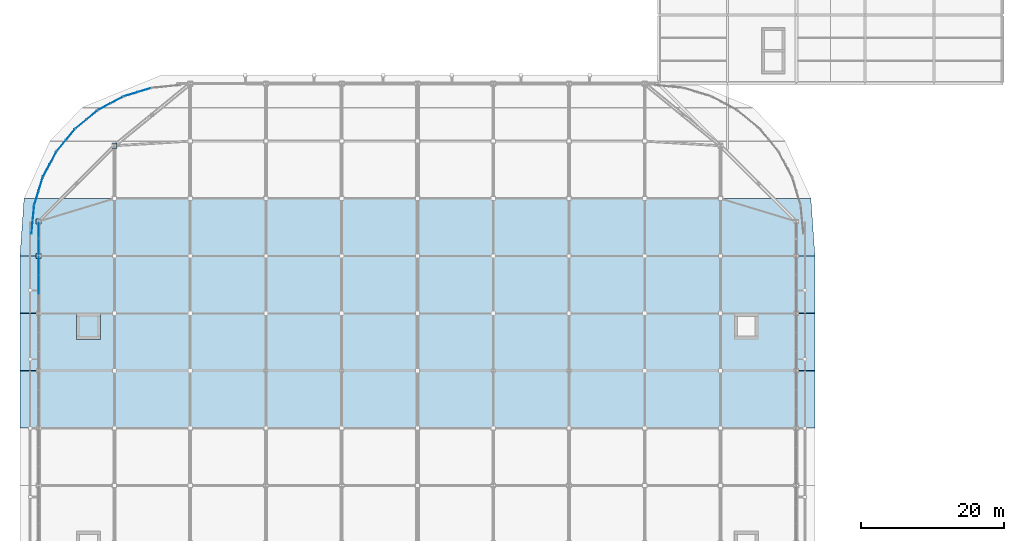
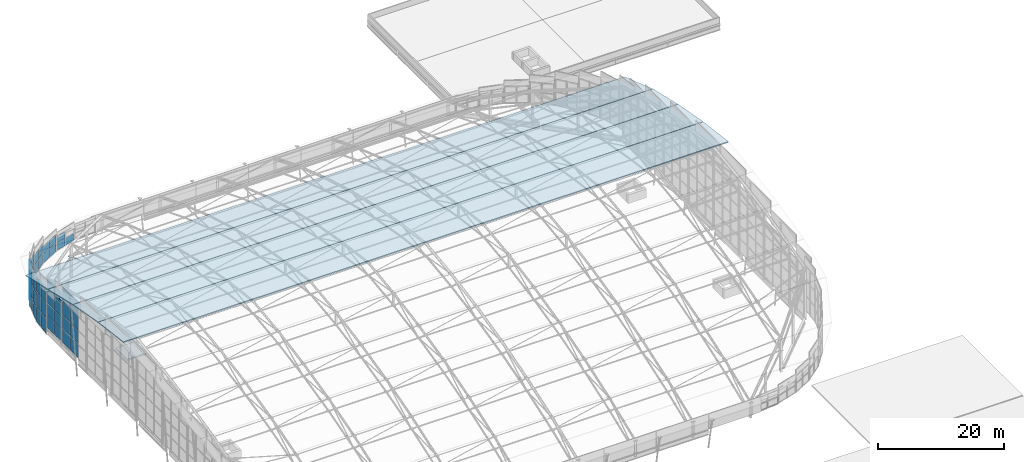
# One storey, part 36 of 42: 52 plates, 5 slabs, 10 elements without a shape of their own.
"""IFC4 building model written with IfcOpenShell, lengths in metres."""

from ifc_helpers import new_model, si_unit, direction, frame, origin, origin_2d, place, context, subcontext, project, spatial, polyline, rectangle, outline, extrude, material, layer, layer_set, type_object, element, aggregate, save


model = new_model("IFC4")

# Units and contexts
model_context = context("Model", 3, precision=1e-05, world=origin(), true_north=direction((0.0, 1.0)))
body_context = subcontext(model_context, "Body", "Model", "MODEL_VIEW")
ifc_project = project(units=[si_unit("LENGTHUNIT", "METRE"), si_unit("AREAUNIT", "SQUARE_METRE"), si_unit("VOLUMEUNIT", "CUBIC_METRE"), si_unit("PLANEANGLEUNIT", "RADIAN"), si_unit("MASSUNIT", "GRAM", prefix="KILO")], contexts=[model_context])

# Site, building, storey
site_placement = place(None, origin())
site = spatial("IfcSite", under=ifc_project, at=site_placement, CompositionType="ELEMENT")
building_placement = place(site_placement, origin())
building = spatial("IfcBuilding", under=site, at=building_placement, Name="Caelomonte Colonnade Arena", CompositionType="ELEMENT")
storey_placement = place(building_placement, frame((0.0, 0.0, 28.199951171875)))
storey = spatial("IfcBuildingStorey", under=building, at=storey_placement, Name="RF", CompositionType="ELEMENT", Elevation=28.199951171875)

# Curtain wall, plates
ifc_material_1 = material(Name="Bronze anodised aluminium and low-E glazing", Category="aluminium")
ifc_layer_1 = layer(ifc_material_1, 0.179931640625)
ifc_layer_set_1 = layer_set([ifc_layer_1], Name="Bronze anodised aluminium and low-E glazing")
curtain_wall_type_1 = type_object("IfcCurtainWallType", Name="ENV-CW-CW-TYMP-07", PredefinedType="USERDEFINED", material=ifc_layer_set_1)
curtain_wall_1_placement = place(storey_placement, origin())
curtain_wall_1 = element("IfcCurtainWall", 1, at=curtain_wall_1_placement, inside=storey, type_object=curtain_wall_type_1, Name="Barrel arch W clerestory tympanum curtain wall 7", ObjectType="UNITIZED CURTAIN WALL", PredefinedType="USERDEFINED")
ifc_material_2 = material(Name="Solar-control bronze low-E double glazing", Category="glass")
ifc_layer_2 = layer(ifc_material_2, 0.035888671875)
ifc_layer_set_2 = layer_set([ifc_layer_2], Name="Solar-control bronze low-E double glazing")
plate_type_1 = type_object("IfcPlateType", Name="ENV-CW-PAN36", PredefinedType="CURTAIN_PANEL", material=ifc_layer_set_2)
plate_1_placement = place(storey_placement, frame((57.60009765625, 89.7958984375, -0.079833984375), z_axis=(0.0, 0.0, 1.0), x_axis=(0.0, -1.0, 0.0)))
plate_1 = element("IfcPlate", 2, at=plate_1_placement, type_object=plate_type_1, Name="CW-TYMP-07 panel 1.1", PredefinedType="CURTAIN_PANEL", context=body_context, shape_type="SweptSolid", body=[
    extrude(rectangle(XDim=2.50830078125, YDim=0.035888671875, at=origin_2d()), origin(), (0.0, 0.0, 1.0), 2.63330078125),
])
plate_2_placement = place(storey_placement, frame((57.60009765625, 89.7958984375, 2.62353515625), z_axis=(0.0, 0.0, 1.0), x_axis=(0.0, -1.0, 0.0)))
plate_2 = element("IfcPlate", 3, at=plate_2_placement, type_object=plate_type_1, Name="CW-TYMP-07 panel 1.2", PredefinedType="CURTAIN_PANEL", context=body_context, shape_type="SweptSolid", body=[
    extrude(rectangle(XDim=2.50830078125, YDim=0.035888671875, at=origin_2d()), origin(), (0.0, 0.0, 1.0), 2.668212890625),
])
plate_3_placement = place(storey_placement, frame((57.60009765625, 89.7958984375, 5.361328125), z_axis=(0.0, 0.0, 1.0), x_axis=(0.0, -1.0, 0.0)))
plate_3 = element("IfcPlate", 4, at=plate_3_placement, type_object=plate_type_1, Name="CW-TYMP-07 panel 1.3", PredefinedType="CURTAIN_PANEL", context=body_context, shape_type="SweptSolid", body=[
    extrude(rectangle(XDim=2.50830078125, YDim=0.035888671875, at=origin_2d()), origin(), (0.0, 0.0, 1.0), 2.668212890625),
])
plate_4_placement = place(storey_placement, frame((57.60009765625, 89.7958984375, 8.099853515625), z_axis=(0.0, 0.0, 1.0), x_axis=(0.0, -1.0, 0.0)))
plate_4 = element("IfcPlate", 5, at=plate_4_placement, type_object=plate_type_1, Name="CW-TYMP-07 panel 1.4", PredefinedType="CURTAIN_PANEL", context=body_context, shape_type="SweptSolid", body=[
    extrude(rectangle(XDim=2.50830078125, YDim=0.035888671875, at=origin_2d()), origin(), (0.0, 0.0, 1.0), 2.63330078125),
])
plate_5_placement = place(storey_placement, frame((57.60009765625, 87.199951171875, -0.079833984375), z_axis=(0.0, 0.0, 1.0), x_axis=(0.0, -1.0, 0.0)))
plate_5 = element("IfcPlate", 6, at=plate_5_placement, type_object=plate_type_1, Name="CW-TYMP-07 panel 2.1", PredefinedType="CURTAIN_PANEL", context=body_context, shape_type="SweptSolid", body=[
    extrude(rectangle(XDim=2.543212890625, YDim=0.035888671875, at=origin_2d()), origin(), (0.0, 0.0, 1.0), 2.63330078125),
])
plate_6_placement = place(storey_placement, frame((57.60009765625, 87.199951171875, 2.62353515625), z_axis=(0.0, 0.0, 1.0), x_axis=(0.0, -1.0, 0.0)))
plate_6 = element("IfcPlate", 7, at=plate_6_placement, type_object=plate_type_1, Name="CW-TYMP-07 panel 2.2", PredefinedType="CURTAIN_PANEL", context=body_context, shape_type="SweptSolid", body=[
    extrude(rectangle(XDim=2.543212890625, YDim=0.035888671875, at=origin_2d()), origin(), (0.0, 0.0, 1.0), 2.668212890625),
])
plate_7_placement = place(storey_placement, frame((57.60009765625, 87.199951171875, 5.361328125), z_axis=(0.0, 0.0, 1.0), x_axis=(0.0, -1.0, 0.0)))
plate_7 = element("IfcPlate", 8, at=plate_7_placement, type_object=plate_type_1, Name="CW-TYMP-07 panel 2.3", PredefinedType="CURTAIN_PANEL", context=body_context, shape_type="SweptSolid", body=[
    extrude(rectangle(XDim=2.543212890625, YDim=0.035888671875, at=origin_2d()), origin(), (0.0, 0.0, 1.0), 2.668212890625),
])
plate_8_placement = place(storey_placement, frame((57.60009765625, 87.199951171875, 8.099853515625), z_axis=(0.0, 0.0, 1.0), x_axis=(0.0, -1.0, 0.0)))
plate_8 = element("IfcPlate", 9, at=plate_8_placement, type_object=plate_type_1, Name="CW-TYMP-07 panel 2.4", PredefinedType="CURTAIN_PANEL", context=body_context, shape_type="SweptSolid", body=[
    extrude(rectangle(XDim=2.543212890625, YDim=0.035888671875, at=origin_2d()), origin(), (0.0, 0.0, 1.0), 2.63330078125),
])
aggregate(curtain_wall_1, [plate_1, plate_2, plate_3, plate_4, plate_5, plate_6, plate_7, plate_8])

ifc_layer_3 = layer(ifc_material_1, 0.179931640625)
ifc_layer_set_3 = layer_set([ifc_layer_3], Name="Bronze anodised aluminium and low-E glazing")
curtain_wall_type_2 = type_object("IfcCurtainWallType", Name="ENV-CW-CW-TYMP-08", PredefinedType="USERDEFINED", material=ifc_layer_set_3)
curtain_wall_2_placement = place(storey_placement, origin())
curtain_wall_2 = element("IfcCurtainWall", 10, at=curtain_wall_2_placement, inside=storey, type_object=curtain_wall_type_2, Name="Barrel arch W clerestory tympanum curtain wall 8", ObjectType="UNITIZED CURTAIN WALL", PredefinedType="USERDEFINED")
plate_9_placement = place(storey_placement, frame((57.60009765625, 94.742431640625, -0.080078125), z_axis=(0.0, 0.0, 1.0), x_axis=(0.0, -1.0, 0.0)))
plate_9 = element("IfcPlate", 11, at=plate_9_placement, type_object=plate_type_1, Name="CW-TYMP-08 panel 1.1", PredefinedType="CURTAIN_PANEL", context=body_context, shape_type="SweptSolid", body=[
    extrude(rectangle(XDim=2.215087890625, YDim=0.035888671875, at=origin_2d()), origin(), (0.0, 0.0, 1.0), 2.298583984375),
])
plate_10_placement = place(storey_placement, frame((57.60009765625, 94.742431640625, 2.28857421875), z_axis=(0.0, 0.0, 1.0), x_axis=(0.0, -1.0, 0.0)))
plate_10 = element("IfcPlate", 12, at=plate_10_placement, type_object=plate_type_1, Name="CW-TYMP-08 panel 1.2", PredefinedType="CURTAIN_PANEL", context=body_context, shape_type="SweptSolid", body=[
    extrude(rectangle(XDim=2.215087890625, YDim=0.035888671875, at=origin_2d()), origin(), (0.0, 0.0, 1.0), 2.333740234375),
])
plate_11_placement = place(storey_placement, frame((57.60009765625, 94.742431640625, 4.6923828125), z_axis=(0.0, 0.0, 1.0), x_axis=(0.0, -1.0, 0.0)))
plate_11 = element("IfcPlate", 13, at=plate_11_placement, type_object=plate_type_1, Name="CW-TYMP-08 panel 1.3", PredefinedType="CURTAIN_PANEL", context=body_context, shape_type="SweptSolid", body=[
    extrude(rectangle(XDim=2.215087890625, YDim=0.035888671875, at=origin_2d()), origin(), (0.0, 0.0, 1.0), 2.333740234375),
])
plate_12_placement = place(storey_placement, frame((57.60009765625, 94.742431640625, 7.09619140625), z_axis=(0.0, 0.0, 1.0), x_axis=(0.0, -1.0, 0.0)))
plate_12 = element("IfcPlate", 14, at=plate_12_placement, type_object=plate_type_1, Name="CW-TYMP-08 panel 1.4", PredefinedType="CURTAIN_PANEL", context=body_context, shape_type="SweptSolid", body=[
    extrude(rectangle(XDim=2.215087890625, YDim=0.035888671875, at=origin_2d()), origin(), (0.0, 0.0, 1.0), 2.298583984375),
])
plate_13_placement = place(storey_placement, frame((57.60009765625, 92.45751953125, -0.080078125), z_axis=(0.0, 0.0, 1.0), x_axis=(0.0, -1.0, 0.0)))
plate_13 = element("IfcPlate", 15, at=plate_13_placement, type_object=plate_type_1, Name="CW-TYMP-08 panel 2.1", PredefinedType="CURTAIN_PANEL", context=body_context, shape_type="SweptSolid", body=[
    extrude(rectangle(XDim=2.215087890625, YDim=0.035888671875, at=origin_2d()), origin(), (0.0, 0.0, 1.0), 2.298583984375),
])
plate_14_placement = place(storey_placement, frame((57.60009765625, 92.45751953125, 2.28857421875), z_axis=(0.0, 0.0, 1.0), x_axis=(0.0, -1.0, 0.0)))
plate_14 = element("IfcPlate", 16, at=plate_14_placement, type_object=plate_type_1, Name="CW-TYMP-08 panel 2.2", PredefinedType="CURTAIN_PANEL", context=body_context, shape_type="SweptSolid", body=[
    extrude(rectangle(XDim=2.215087890625, YDim=0.035888671875, at=origin_2d()), origin(), (0.0, 0.0, 1.0), 2.333740234375),
])
plate_15_placement = place(storey_placement, frame((57.60009765625, 92.45751953125, 4.6923828125), z_axis=(0.0, 0.0, 1.0), x_axis=(0.0, -1.0, 0.0)))
plate_15 = element("IfcPlate", 17, at=plate_15_placement, type_object=plate_type_1, Name="CW-TYMP-08 panel 2.3", PredefinedType="CURTAIN_PANEL", context=body_context, shape_type="SweptSolid", body=[
    extrude(rectangle(XDim=2.215087890625, YDim=0.035888671875, at=origin_2d()), origin(), (0.0, 0.0, 1.0), 2.333740234375),
])
plate_16_placement = place(storey_placement, frame((57.60009765625, 92.45751953125, 7.09619140625), z_axis=(0.0, 0.0, 1.0), x_axis=(0.0, -1.0, 0.0)))
plate_16 = element("IfcPlate", 18, at=plate_16_placement, type_object=plate_type_1, Name="CW-TYMP-08 panel 2.4", PredefinedType="CURTAIN_PANEL", context=body_context, shape_type="SweptSolid", body=[
    extrude(rectangle(XDim=2.215087890625, YDim=0.035888671875, at=origin_2d()), origin(), (0.0, 0.0, 1.0), 2.298583984375),
])
aggregate(curtain_wall_2, [plate_9, plate_10, plate_11, plate_12, plate_13, plate_14, plate_15, plate_16])

ifc_layer_4 = layer(ifc_material_1, 0.179931640625)
ifc_layer_set_4 = layer_set([ifc_layer_4], Name="Bronze anodised aluminium and low-E glazing")
curtain_wall_type_3 = type_object("IfcCurtainWallType", Name="ENV-CW-CW-TYMPC-02-29", PredefinedType="USERDEFINED", material=ifc_layer_set_4)
curtain_wall_3_placement = place(storey_placement, origin())
curtain_wall_3 = element("IfcCurtainWall", 19, at=curtain_wall_3_placement, inside=storey, type_object=curtain_wall_type_3, Name="Barrel arch rounded corner clerestory curtain wall 18", ObjectType="UNITIZED CURTAIN WALL", PredefinedType="USERDEFINED")
plate_17_placement = place(storey_placement, frame((72.321044921875, 114.311279296875, -0.080078125), z_axis=(0.0, 0.0, 1.0), x_axis=(-0.956945999811, -0.290266004632, 0.0)))
plate_17 = element("IfcPlate", 20, at=plate_17_placement, type_object=plate_type_1, Name="CW-TYMPC-02-29 panel 1.1", PredefinedType="CURTAIN_PANEL", context=body_context, shape_type="SweptSolid", body=[
    extrude(rectangle(XDim=1.8857421875, YDim=0.035888671875, at=origin_2d()), origin(), (0.0, 0.0, 1.0), 1.367919921875),
])
plate_18_placement = place(storey_placement, frame((70.449462890625, 113.74365234375, -0.080078125), z_axis=(0.0, 0.0, 1.0), x_axis=(-0.956945999811, -0.290266004632, 0.0)))
plate_18 = element("IfcPlate", 21, at=plate_18_placement, type_object=plate_type_1, Name="CW-TYMPC-02-29 panel 2.1", PredefinedType="CURTAIN_PANEL", context=body_context, shape_type="SweptSolid", body=[
    extrude(rectangle(XDim=1.8857421875, YDim=0.035888671875, at=origin_2d()), origin(), (0.0, 0.0, 1.0), 1.367919921875),
])
plate_19_placement = place(storey_placement, frame((70.449462890625, 113.74365234375, 1.35791015625), z_axis=(0.0, 0.0, 1.0), x_axis=(-0.956945999811, -0.290266004632, 0.0)))
plate_19 = element("IfcPlate", 22, at=plate_19_placement, type_object=plate_type_1, Name="CW-TYMPC-02-29 panel 2.2", PredefinedType="CURTAIN_PANEL", context=body_context, shape_type="SweptSolid", body=[
    extrude(rectangle(XDim=1.8857421875, YDim=0.035888671875, at=origin_2d()), origin(), (0.0, 0.0, 1.0), 1.36767578125),
])
aggregate(curtain_wall_3, [plate_17, plate_18, plate_19])

ifc_layer_5 = layer(ifc_material_1, 0.179931640625)
ifc_layer_set_5 = layer_set([ifc_layer_5], Name="Bronze anodised aluminium and low-E glazing")
curtain_wall_type_4 = type_object("IfcCurtainWallType", Name="ENV-CW-CW-TYMPC-03-34", PredefinedType="USERDEFINED", material=ifc_layer_set_5)
curtain_wall_4_placement = place(storey_placement, origin())
curtain_wall_4 = element("IfcCurtainWall", 23, at=curtain_wall_4_placement, inside=storey, type_object=curtain_wall_type_4, Name="Barrel arch rounded corner clerestory curtain wall 19", ObjectType="UNITIZED CURTAIN WALL", PredefinedType="USERDEFINED")
plate_20_placement = place(storey_placement, frame((68.4951171875, 112.93408203125, -0.080078125), z_axis=(0.0, 0.0, 1.0), x_axis=(-0.881924283795, -0.471391087795, 0.0)))
plate_20 = element("IfcPlate", 24, at=plate_20_placement, type_object=plate_type_1, Name="CW-TYMPC-03-34 panel 1.1", PredefinedType="CURTAIN_PANEL", context=body_context, shape_type="SweptSolid", body=[
    extrude(rectangle(XDim=1.8857421875, YDim=0.035888671875, at=origin_2d()), origin(), (0.0, 0.0, 1.0), 1.614990234375),
])
plate_21_placement = place(storey_placement, frame((68.4951171875, 112.93408203125, 1.60498046875), z_axis=(0.0, 0.0, 1.0), x_axis=(-0.881924283795, -0.471391087795, 0.0)))
plate_21 = element("IfcPlate", 25, at=plate_21_placement, type_object=plate_type_1, Name="CW-TYMPC-03-34 panel 1.2", PredefinedType="CURTAIN_PANEL", context=body_context, shape_type="SweptSolid", body=[
    extrude(rectangle(XDim=1.8857421875, YDim=0.035888671875, at=origin_2d()), origin(), (0.0, 0.0, 1.0), 1.614990234375),
])
plate_22_placement = place(storey_placement, frame((66.770263671875, 112.01220703125, -0.080078125), z_axis=(0.0, 0.0, 1.0), x_axis=(-0.881924283795, -0.471391087795, 0.0)))
plate_22 = element("IfcPlate", 26, at=plate_22_placement, type_object=plate_type_1, Name="CW-TYMPC-03-34 panel 2.1", PredefinedType="CURTAIN_PANEL", context=body_context, shape_type="SweptSolid", body=[
    extrude(rectangle(XDim=1.8857421875, YDim=0.035888671875, at=origin_2d()), origin(), (0.0, 0.0, 1.0), 1.614990234375),
])
plate_23_placement = place(storey_placement, frame((66.770263671875, 112.01220703125, 1.60498046875), z_axis=(0.0, 0.0, 1.0), x_axis=(-0.881924283795, -0.471391087795, 0.0)))
plate_23 = element("IfcPlate", 27, at=plate_23_placement, type_object=plate_type_1, Name="CW-TYMPC-03-34 panel 2.2", PredefinedType="CURTAIN_PANEL", context=body_context, shape_type="SweptSolid", body=[
    extrude(rectangle(XDim=1.8857421875, YDim=0.035888671875, at=origin_2d()), origin(), (0.0, 0.0, 1.0), 1.614990234375),
])
aggregate(curtain_wall_4, [plate_20, plate_21, plate_22, plate_23])

ifc_layer_6 = layer(ifc_material_1, 0.179931640625)
ifc_layer_set_6 = layer_set([ifc_layer_6], Name="Bronze anodised aluminium and low-E glazing")
curtain_wall_type_5 = type_object("IfcCurtainWallType", Name="ENV-CW-CW-TYMPC-04-42", PredefinedType="USERDEFINED", material=ifc_layer_set_6)
curtain_wall_5_placement = place(storey_placement, origin())
curtain_wall_5 = element("IfcCurtainWall", 28, at=curtain_wall_5_placement, inside=storey, type_object=curtain_wall_type_5, Name="Barrel arch rounded corner clerestory curtain wall 20", ObjectType="UNITIZED CURTAIN WALL", PredefinedType="USERDEFINED")
plate_24_placement = place(storey_placement, frame((65.011474609375, 110.8369140625, -0.080078125), z_axis=(0.0, 0.0, 1.0), x_axis=(-0.773000731835, -0.634405129694, 0.0)))
plate_24 = element("IfcPlate", 29, at=plate_24_placement, type_object=plate_type_1, Name="CW-TYMPC-04-42 panel 1.1", PredefinedType="CURTAIN_PANEL", context=body_context, shape_type="SweptSolid", body=[
    extrude(rectangle(XDim=1.8857421875, YDim=0.035888671875, at=origin_2d()), origin(), (0.0, 0.0, 1.0), 2.00634765625),
])
plate_25_placement = place(storey_placement, frame((65.011474609375, 110.8369140625, 1.99658203125), z_axis=(0.0, 0.0, 1.0), x_axis=(-0.773000731835, -0.634405129694, 0.0)))
plate_25 = element("IfcPlate", 30, at=plate_25_placement, type_object=plate_type_1, Name="CW-TYMPC-04-42 panel 1.2", PredefinedType="CURTAIN_PANEL", context=body_context, shape_type="SweptSolid", body=[
    extrude(rectangle(XDim=1.8857421875, YDim=0.035888671875, at=origin_2d()), origin(), (0.0, 0.0, 1.0), 2.006103515625),
])
plate_26_placement = place(storey_placement, frame((63.49951171875, 109.59619140625, -0.080078125), z_axis=(0.0, 0.0, 1.0), x_axis=(-0.773000731835, -0.634405129694, 0.0)))
plate_26 = element("IfcPlate", 31, at=plate_26_placement, type_object=plate_type_1, Name="CW-TYMPC-04-42 panel 2.1", PredefinedType="CURTAIN_PANEL", context=body_context, shape_type="SweptSolid", body=[
    extrude(rectangle(XDim=1.8857421875, YDim=0.035888671875, at=origin_2d()), origin(), (0.0, 0.0, 1.0), 2.00634765625),
])
plate_27_placement = place(storey_placement, frame((63.49951171875, 109.59619140625, 1.99658203125), z_axis=(0.0, 0.0, 1.0), x_axis=(-0.773000731835, -0.634405129694, 0.0)))
plate_27 = element("IfcPlate", 32, at=plate_27_placement, type_object=plate_type_1, Name="CW-TYMPC-04-42 panel 2.2", PredefinedType="CURTAIN_PANEL", context=body_context, shape_type="SweptSolid", body=[
    extrude(rectangle(XDim=1.8857421875, YDim=0.035888671875, at=origin_2d()), origin(), (0.0, 0.0, 1.0), 2.006103515625),
])
aggregate(curtain_wall_5, [plate_24, plate_25, plate_26, plate_27])

ifc_layer_7 = layer(ifc_material_1, 0.179931640625)
ifc_layer_set_7 = layer_set([ifc_layer_7], Name="Bronze anodised aluminium and low-E glazing")
curtain_wall_type_6 = type_object("IfcCurtainWallType", Name="ENV-CW-CW-TYMPC-04-52", PredefinedType="USERDEFINED", material=ifc_layer_set_7)
curtain_wall_6_placement = place(storey_placement, origin())
curtain_wall_6 = element("IfcCurtainWall", 33, at=curtain_wall_6_placement, inside=storey, type_object=curtain_wall_type_6, Name="Barrel arch rounded corner clerestory curtain wall 21", ObjectType="UNITIZED CURTAIN WALL", PredefinedType="USERDEFINED")
plate_28_placement = place(storey_placement, frame((62.003662109375, 108.100341796875, -0.080078125), z_axis=(0.0, 0.0, 1.0), x_axis=(-0.634405129694, -0.773000731835, 0.0)))
plate_28 = element("IfcPlate", 34, at=plate_28_placement, type_object=plate_type_1, Name="CW-TYMPC-04-52 panel 1.1", PredefinedType="CURTAIN_PANEL", context=body_context, shape_type="SweptSolid", body=[
    extrude(rectangle(XDim=1.8857421875, YDim=0.035888671875, at=origin_2d()), origin(), (0.0, 0.0, 1.0), 2.51318359375),
])
plate_29_placement = place(storey_placement, frame((62.003662109375, 108.100341796875, 2.50341796875), z_axis=(0.0, 0.0, 1.0), x_axis=(-0.634405129694, -0.773000731835, 0.0)))
plate_29 = element("IfcPlate", 35, at=plate_29_placement, type_object=plate_type_1, Name="CW-TYMPC-04-52 panel 1.2", PredefinedType="CURTAIN_PANEL", context=body_context, shape_type="SweptSolid", body=[
    extrude(rectangle(XDim=1.8857421875, YDim=0.035888671875, at=origin_2d()), origin(), (0.0, 0.0, 1.0), 2.512939453125),
])
plate_30_placement = place(storey_placement, frame((60.762939453125, 106.588623046875, -0.080078125), z_axis=(0.0, 0.0, 1.0), x_axis=(-0.634405129694, -0.773000731835, 0.0)))
plate_30 = element("IfcPlate", 36, at=plate_30_placement, type_object=plate_type_1, Name="CW-TYMPC-04-52 panel 2.1", PredefinedType="CURTAIN_PANEL", context=body_context, shape_type="SweptSolid", body=[
    extrude(rectangle(XDim=1.8857421875, YDim=0.035888671875, at=origin_2d()), origin(), (0.0, 0.0, 1.0), 2.51318359375),
])
plate_31_placement = place(storey_placement, frame((60.762939453125, 106.588623046875, 2.50341796875), z_axis=(0.0, 0.0, 1.0), x_axis=(-0.634405129694, -0.773000731835, 0.0)))
plate_31 = element("IfcPlate", 37, at=plate_31_placement, type_object=plate_type_1, Name="CW-TYMPC-04-52 panel 2.2", PredefinedType="CURTAIN_PANEL", context=body_context, shape_type="SweptSolid", body=[
    extrude(rectangle(XDim=1.8857421875, YDim=0.035888671875, at=origin_2d()), origin(), (0.0, 0.0, 1.0), 2.512939453125),
])
aggregate(curtain_wall_6, [plate_28, plate_29, plate_30, plate_31])

ifc_layer_8 = layer(ifc_material_1, 0.179931640625)
ifc_layer_set_8 = layer_set([ifc_layer_8], Name="Bronze anodised aluminium and low-E glazing")
curtain_wall_type_7 = type_object("IfcCurtainWallType", Name="ENV-CW-CW-TYMPC-03-64", PredefinedType="USERDEFINED", material=ifc_layer_set_8)
curtain_wall_7_placement = place(storey_placement, origin())
curtain_wall_7 = element("IfcCurtainWall", 38, at=curtain_wall_7_placement, inside=storey, type_object=curtain_wall_type_7, Name="Barrel arch rounded corner clerestory curtain wall 22", ObjectType="UNITIZED CURTAIN WALL", PredefinedType="USERDEFINED")
plate_32_placement = place(storey_placement, frame((59.587646484375, 104.82958984375, -0.080078125), z_axis=(0.0, 0.0, 1.0), x_axis=(-0.471391087795, -0.881924283795, 0.0)))
plate_32 = element("IfcPlate", 39, at=plate_32_placement, type_object=plate_type_1, Name="CW-TYMPC-03-64 panel 1.1", PredefinedType="CURTAIN_PANEL", context=body_context, shape_type="SweptSolid", body=[
    extrude(rectangle(XDim=1.8857421875, YDim=0.035888671875, at=origin_2d()), origin(), (0.0, 0.0, 1.0), 2.031494140625),
])
plate_33_placement = place(storey_placement, frame((59.587646484375, 104.82958984375, 2.021728515625), z_axis=(0.0, 0.0, 1.0), x_axis=(-0.471391087795, -0.881924283795, 0.0)))
plate_33 = element("IfcPlate", 40, at=plate_33_placement, type_object=plate_type_1, Name="CW-TYMPC-03-64 panel 1.2", PredefinedType="CURTAIN_PANEL", context=body_context, shape_type="SweptSolid", body=[
    extrude(rectangle(XDim=1.8857421875, YDim=0.035888671875, at=origin_2d()), origin(), (0.0, 0.0, 1.0), 2.06640625),
])
plate_34_placement = place(storey_placement, frame((59.587646484375, 104.82958984375, 4.158203125), z_axis=(0.0, 0.0, 1.0), x_axis=(-0.471391087795, -0.881924283795, 0.0)))
plate_34 = element("IfcPlate", 41, at=plate_34_placement, type_object=plate_type_1, Name="CW-TYMPC-03-64 panel 1.3", PredefinedType="CURTAIN_PANEL", context=body_context, shape_type="SweptSolid", body=[
    extrude(rectangle(XDim=1.8857421875, YDim=0.035888671875, at=origin_2d()), origin(), (0.0, 0.0, 1.0), 2.031494140625),
])
plate_35_placement = place(storey_placement, frame((58.665771484375, 103.10498046875, -0.080078125), z_axis=(0.0, 0.0, 1.0), x_axis=(-0.471391087795, -0.881924283795, 0.0)))
plate_35 = element("IfcPlate", 42, at=plate_35_placement, type_object=plate_type_1, Name="CW-TYMPC-03-64 panel 2.1", PredefinedType="CURTAIN_PANEL", context=body_context, shape_type="SweptSolid", body=[
    extrude(rectangle(XDim=1.8857421875, YDim=0.035888671875, at=origin_2d()), origin(), (0.0, 0.0, 1.0), 2.031494140625),
])
plate_36_placement = place(storey_placement, frame((58.665771484375, 103.10498046875, 2.021728515625), z_axis=(0.0, 0.0, 1.0), x_axis=(-0.471391087795, -0.881924283795, 0.0)))
plate_36 = element("IfcPlate", 43, at=plate_36_placement, type_object=plate_type_1, Name="CW-TYMPC-03-64 panel 2.2", PredefinedType="CURTAIN_PANEL", context=body_context, shape_type="SweptSolid", body=[
    extrude(rectangle(XDim=1.8857421875, YDim=0.035888671875, at=origin_2d()), origin(), (0.0, 0.0, 1.0), 2.06640625),
])
plate_37_placement = place(storey_placement, frame((58.665771484375, 103.10498046875, 4.158203125), z_axis=(0.0, 0.0, 1.0), x_axis=(-0.471391087795, -0.881924283795, 0.0)))
plate_37 = element("IfcPlate", 44, at=plate_37_placement, type_object=plate_type_1, Name="CW-TYMPC-03-64 panel 2.3", PredefinedType="CURTAIN_PANEL", context=body_context, shape_type="SweptSolid", body=[
    extrude(rectangle(XDim=1.8857421875, YDim=0.035888671875, at=origin_2d()), origin(), (0.0, 0.0, 1.0), 2.031494140625),
])
aggregate(curtain_wall_7, [plate_32, plate_33, plate_34, plate_35, plate_36, plate_37])

ifc_layer_9 = layer(ifc_material_1, 0.179931640625)
ifc_layer_set_9 = layer_set([ifc_layer_9], Name="Bronze anodised aluminium and low-E glazing")
curtain_wall_type_8 = type_object("IfcCurtainWallType", Name="ENV-CW-CW-TYMPC-02-77", PredefinedType="USERDEFINED", material=ifc_layer_set_9)
curtain_wall_8_placement = place(storey_placement, origin())
curtain_wall_8 = element("IfcCurtainWall", 45, at=curtain_wall_8_placement, inside=storey, type_object=curtain_wall_type_8, Name="Barrel arch rounded corner clerestory curtain wall 23", ObjectType="UNITIZED CURTAIN WALL", PredefinedType="USERDEFINED")
plate_38_placement = place(storey_placement, frame((57.856201171875, 101.150390625, -0.080078125), z_axis=(0.0, 0.0, 1.0), x_axis=(-0.290266004632, -0.956945999811, 0.0)))
plate_38 = element("IfcPlate", 46, at=plate_38_placement, type_object=plate_type_1, Name="CW-TYMPC-02-77 panel 1.1", PredefinedType="CURTAIN_PANEL", context=body_context, shape_type="SweptSolid", body=[
    extrude(rectangle(XDim=1.8857421875, YDim=0.035888671875, at=origin_2d()), origin(), (0.0, 0.0, 1.0), 2.450439453125),
])
plate_39_placement = place(storey_placement, frame((57.856201171875, 101.150390625, 2.4404296875), z_axis=(0.0, 0.0, 1.0), x_axis=(-0.290266004632, -0.956945999811, 0.0)))
plate_39 = element("IfcPlate", 47, at=plate_39_placement, type_object=plate_type_1, Name="CW-TYMPC-02-77 panel 1.2", PredefinedType="CURTAIN_PANEL", context=body_context, shape_type="SweptSolid", body=[
    extrude(rectangle(XDim=1.8857421875, YDim=0.035888671875, at=origin_2d()), origin(), (0.0, 0.0, 1.0), 2.4853515625),
])
plate_40_placement = place(storey_placement, frame((57.856201171875, 101.150390625, 4.99560546875), z_axis=(0.0, 0.0, 1.0), x_axis=(-0.290266004632, -0.956945999811, 0.0)))
plate_40 = element("IfcPlate", 48, at=plate_40_placement, type_object=plate_type_1, Name="CW-TYMPC-02-77 panel 1.3", PredefinedType="CURTAIN_PANEL", context=body_context, shape_type="SweptSolid", body=[
    extrude(rectangle(XDim=1.8857421875, YDim=0.035888671875, at=origin_2d()), origin(), (0.0, 0.0, 1.0), 2.450439453125),
])
plate_41_placement = place(storey_placement, frame((57.28857421875, 99.27880859375, -0.080078125), z_axis=(0.0, 0.0, 1.0), x_axis=(-0.290266004632, -0.956945999811, 0.0)))
plate_41 = element("IfcPlate", 49, at=plate_41_placement, type_object=plate_type_1, Name="CW-TYMPC-02-77 panel 2.1", PredefinedType="CURTAIN_PANEL", context=body_context, shape_type="SweptSolid", body=[
    extrude(rectangle(XDim=1.8857421875, YDim=0.035888671875, at=origin_2d()), origin(), (0.0, 0.0, 1.0), 2.450439453125),
])
plate_42_placement = place(storey_placement, frame((57.28857421875, 99.27880859375, 2.4404296875), z_axis=(0.0, 0.0, 1.0), x_axis=(-0.290266004632, -0.956945999811, 0.0)))
plate_42 = element("IfcPlate", 50, at=plate_42_placement, type_object=plate_type_1, Name="CW-TYMPC-02-77 panel 2.2", PredefinedType="CURTAIN_PANEL", context=body_context, shape_type="SweptSolid", body=[
    extrude(rectangle(XDim=1.8857421875, YDim=0.035888671875, at=origin_2d()), origin(), (0.0, 0.0, 1.0), 2.4853515625),
])
plate_43_placement = place(storey_placement, frame((57.28857421875, 99.27880859375, 4.99560546875), z_axis=(0.0, 0.0, 1.0), x_axis=(-0.290266004632, -0.956945999811, 0.0)))
plate_43 = element("IfcPlate", 51, at=plate_43_placement, type_object=plate_type_1, Name="CW-TYMPC-02-77 panel 2.3", PredefinedType="CURTAIN_PANEL", context=body_context, shape_type="SweptSolid", body=[
    extrude(rectangle(XDim=1.8857421875, YDim=0.035888671875, at=origin_2d()), origin(), (0.0, 0.0, 1.0), 2.450439453125),
])
aggregate(curtain_wall_8, [plate_38, plate_39, plate_40, plate_41, plate_42, plate_43])

ifc_layer_10 = layer(ifc_material_1, 0.179931640625)
ifc_layer_set_10 = layer_set([ifc_layer_10], Name="Bronze anodised aluminium and low-E glazing")
curtain_wall_type_9 = type_object("IfcCurtainWallType", Name="ENV-CW-CW-TYMPC-01-89", PredefinedType="USERDEFINED", material=ifc_layer_set_10)
curtain_wall_9_placement = place(storey_placement, origin())
curtain_wall_9 = element("IfcCurtainWall", 52, at=curtain_wall_9_placement, inside=storey, type_object=curtain_wall_type_9, Name="Barrel arch rounded corner clerestory curtain wall 24", ObjectType="UNITIZED CURTAIN WALL", PredefinedType="USERDEFINED")
plate_44_placement = place(storey_placement, frame((56.8759765625, 97.2041015625, -0.079833984375), z_axis=(0.0, 0.0, 1.0), x_axis=(-0.098031417843, -0.995183320356, 0.0)))
plate_44 = element("IfcPlate", 53, at=plate_44_placement, type_object=plate_type_1, Name="CW-TYMPC-01-89 panel 1.1", PredefinedType="CURTAIN_PANEL", context=body_context, shape_type="SweptSolid", body=[
    extrude(rectangle(XDim=1.8857421875, YDim=0.035888671875, at=origin_2d()), origin(), (0.0, 0.0, 1.0), 2.87158203125),
])
plate_45_placement = place(storey_placement, frame((56.8759765625, 97.2041015625, 2.86181640625), z_axis=(0.0, 0.0, 1.0), x_axis=(-0.098031417843, -0.995183320356, 0.0)))
plate_45 = element("IfcPlate", 54, at=plate_45_placement, type_object=plate_type_1, Name="CW-TYMPC-01-89 panel 1.2", PredefinedType="CURTAIN_PANEL", context=body_context, shape_type="SweptSolid", body=[
    extrude(rectangle(XDim=1.8857421875, YDim=0.035888671875, at=origin_2d()), origin(), (0.0, 0.0, 1.0), 2.90673828125),
])
plate_46_placement = place(storey_placement, frame((56.8759765625, 97.2041015625, 5.838623046875), z_axis=(0.0, 0.0, 1.0), x_axis=(-0.098031417843, -0.995183320356, 0.0)))
plate_46 = element("IfcPlate", 55, at=plate_46_placement, type_object=plate_type_1, Name="CW-TYMPC-01-89 panel 1.3", PredefinedType="CURTAIN_PANEL", context=body_context, shape_type="SweptSolid", body=[
    extrude(rectangle(XDim=1.8857421875, YDim=0.035888671875, at=origin_2d()), origin(), (0.0, 0.0, 1.0), 2.87158203125),
])
plate_47_placement = place(storey_placement, frame((56.68408203125, 95.2578125, -0.079833984375), z_axis=(0.0, 0.0, 1.0), x_axis=(-0.098031417843, -0.995183320356, 0.0)))
plate_47 = element("IfcPlate", 56, at=plate_47_placement, type_object=plate_type_1, Name="CW-TYMPC-01-89 panel 2.1", PredefinedType="CURTAIN_PANEL", context=body_context, shape_type="SweptSolid", body=[
    extrude(rectangle(XDim=1.8857421875, YDim=0.035888671875, at=origin_2d()), origin(), (0.0, 0.0, 1.0), 2.87158203125),
])
plate_48_placement = place(storey_placement, frame((56.68408203125, 95.2578125, 2.86181640625), z_axis=(0.0, 0.0, 1.0), x_axis=(-0.098031417843, -0.995183320356, 0.0)))
plate_48 = element("IfcPlate", 57, at=plate_48_placement, type_object=plate_type_1, Name="CW-TYMPC-01-89 panel 2.2", PredefinedType="CURTAIN_PANEL", context=body_context, shape_type="SweptSolid", body=[
    extrude(rectangle(XDim=1.8857421875, YDim=0.035888671875, at=origin_2d()), origin(), (0.0, 0.0, 1.0), 2.90673828125),
])
plate_49_placement = place(storey_placement, frame((56.68408203125, 95.2578125, 5.838623046875), z_axis=(0.0, 0.0, 1.0), x_axis=(-0.098031417843, -0.995183320356, 0.0)))
plate_49 = element("IfcPlate", 58, at=plate_49_placement, type_object=plate_type_1, Name="CW-TYMPC-01-89 panel 2.3", PredefinedType="CURTAIN_PANEL", context=body_context, shape_type="SweptSolid", body=[
    extrude(rectangle(XDim=1.8857421875, YDim=0.035888671875, at=origin_2d()), origin(), (0.0, 0.0, 1.0), 2.87158203125),
])
aggregate(curtain_wall_9, [plate_44, plate_45, plate_46, plate_47, plate_48, plate_49])

# Plates
ifc_material_3 = material(Name="Steel ASTM A572 Grade 50", Category="steel")
ifc_layer_11 = layer(ifc_material_3, 0.0400390625)
ifc_layer_set_11 = layer_set([ifc_layer_11], Name="Steel ASTM A572 Grade 50")
plate_type_2 = type_object("IfcPlateType", Name="STR-PL-SN01", PredefinedType="USERDEFINED", material=ifc_layer_set_11)
for number, where, z_axis, x_axis, name in (
    (59, (57.60009765625, 91.199951171875, 8.23291015625), (0.0, 0.0, 1.0), (1.0, 0.0, 0.0), "Space frame bottom node cap plate (0,9)"),
    (60, (57.60009765625, 96.0, 6.89501953125), (0.0, 0.0, 1.0), (1.0, 0.0, 0.0), "Space frame bottom node cap plate (0,10)"),
    (61, (68.159912109375, 106.56005859375, 3.401123046875), (0.0, 0.0, 1.0), (1.0, 0.0, 0.0), "Space frame bottom node cap plate (1,11)"),
):
    element("IfcPlate", number, at=place(storey_placement, frame(where, z_axis=z_axis, x_axis=x_axis)), inside=storey, type_object=plate_type_2, Name=name, ObjectType="NODE CAP PLATE", PredefinedType="USERDEFINED", context=body_context, shape_type="SweptSolid", body=[
        extrude(rectangle(XDim=0.719970703125, YDim=0.719970703125, at=origin_2d()), origin(), (0.0, 0.0, 1.0), 0.0400390625),
    ])

# Roof, slabs
ifc_material_4 = material(Name="Steel ASTM A500 Grade C", Category="steel")
ifc_layer_12 = layer(ifc_material_4, 0.179931640625)
ifc_layer_set_12 = layer_set([ifc_layer_12], Name="Steel ASTM A500 Grade C")
roof_type = type_object("IfcRoofType", Name="ARC-RF-BARREL", PredefinedType="BARREL_ROOF", material=ifc_layer_set_12)
roof_placement = place(storey_placement, origin())
roof = element("IfcRoof", 62, at=roof_placement, inside=storey, type_object=roof_type, Name="Volume 2 barrel-arched arena roof", PredefinedType="BARREL_ROOF")
ifc_material_5 = material(Name="Precast concrete C40/50", Category="concrete")
ifc_layer_13 = layer(ifc_material_5, 0.179931640625)
ifc_layer_set_13 = layer_set([ifc_layer_13], Name="Precast concrete C40/50")
slab_type_1 = type_object("IfcSlabType", Name="STR-SL-ARCH18", PredefinedType="ROOF", material=ifc_layer_set_13)
slab_1_placement = place(storey_placement, frame((55.0, 67.215087890625, 15.35302734375), z_axis=(0.0, 0.125841040959, 0.99205041828), x_axis=(1.0, 0.0, 0.0)))
slab_1 = element("IfcSlab", 63, at=slab_1_placement, type_object=slab_type_1, Name="Barrel-arched arena roof deck panel 8", PredefinedType="ROOF", context=body_context, shape_type="SweptSolid", body=[
    extrude(outline(polyline([(0.0, 0.0), (110.800048828125, 0.0), (110.800048828125, 8.033836341644413), (0.0, 8.033836341644413), (0.0, 0.0)])), origin(), (0.0, 0.0, -1.0), 0.179931640625),
])
slab_2_placement = place(storey_placement, frame((55.0, 75.215087890625, 14.33740234375), z_axis=(0.0, 0.17823022988, 0.983988813532), x_axis=(1.0, 0.0, 0.0)))
slab_2 = element("IfcSlab", 64, at=slab_2_placement, type_object=slab_type_1, Name="Barrel-arched arena roof deck panel 9", PredefinedType="ROOF", context=body_context, shape_type="SweptSolid", body=[
    extrude(outline(polyline([(0.0, 0.0), (110.800048828125, 0.0), (110.800048828125, 8.099655802501466), (0.0, 8.099655802501466), (0.0, 0.0)])), origin(), (0.0, 0.0, -1.0), 0.179931640625),
])
slab_3_placement = place(storey_placement, frame((55.0, 83.215087890625, 12.887451171875), z_axis=(0.0, 0.22911910749, 0.973398394586), x_axis=(1.0, 0.0, 0.0)))
slab_3 = element("IfcSlab", 65, at=slab_3_placement, type_object=slab_type_1, Name="Barrel-arched arena roof deck panel 10", PredefinedType="ROOF", context=body_context, shape_type="SweptSolid", body=[
    extrude(outline(polyline([(0.0, 0.0), (110.800048828125, 0.0), (110.800048828125, 8.187778762993059), (0.0, 8.187778762993059), (0.0, 0.0)])), origin(), (0.0, 0.0, -1.0), 0.179931640625),
])
slab_4_placement = place(storey_placement, frame((55.0, 91.215087890625, 11.003662109375), z_axis=(0.0, 0.278197387815, 0.960523926518), x_axis=(1.0, 0.0, 0.0)))
slab_4 = element("IfcSlab", 66, at=slab_4_placement, type_object=slab_type_1, Name="Barrel-arched arena roof deck panel 11", PredefinedType="ROOF", context=body_context, shape_type="SweptSolid", body=[
    extrude(outline(polyline([(0.0, 0.0), (110.800048828125, 0.0), (110.23828125, 8.297524385488273), (0.561767578125, 8.297524385488273), (0.0, 0.0)])), origin(), (0.0, 0.0, -1.0), 0.179931640625),
])
aggregate(roof, [slab_1, slab_2, slab_3, slab_4])

# Slab
ifc_material_6 = material(Name="Concrete C40/50", Category="concrete")
ifc_layer_14 = layer(ifc_material_6, 0.280029296875)
ifc_layer_set_14 = layer_set([ifc_layer_14], Name="Concrete C40/50")
slab_type_2 = type_object("IfcSlabType", Name="STR-SL-ROOF28", PredefinedType="ROOF", material=ifc_layer_set_14)
slab_5_placement = place(storey_placement, frame((0.0, 0.0, 1.449951171875)))
element("IfcSlab", 67, at=slab_5_placement, inside=storey, type_object=slab_type_2, Name="Core C4 lift overrun roof slab", PredefinedType="ROOF", context=body_context, shape_type="SweptSolid", body=[
    extrude(outline(polyline([(62.85009765625, 79.550048828125), (66.25, 79.550048828125), (66.25, 83.25), (62.85009765625, 83.25), (62.85009765625, 79.550048828125)])), origin(), (0.0, 0.0, 1.0), 0.280029296875),
])

save(model, "model.ifc")
